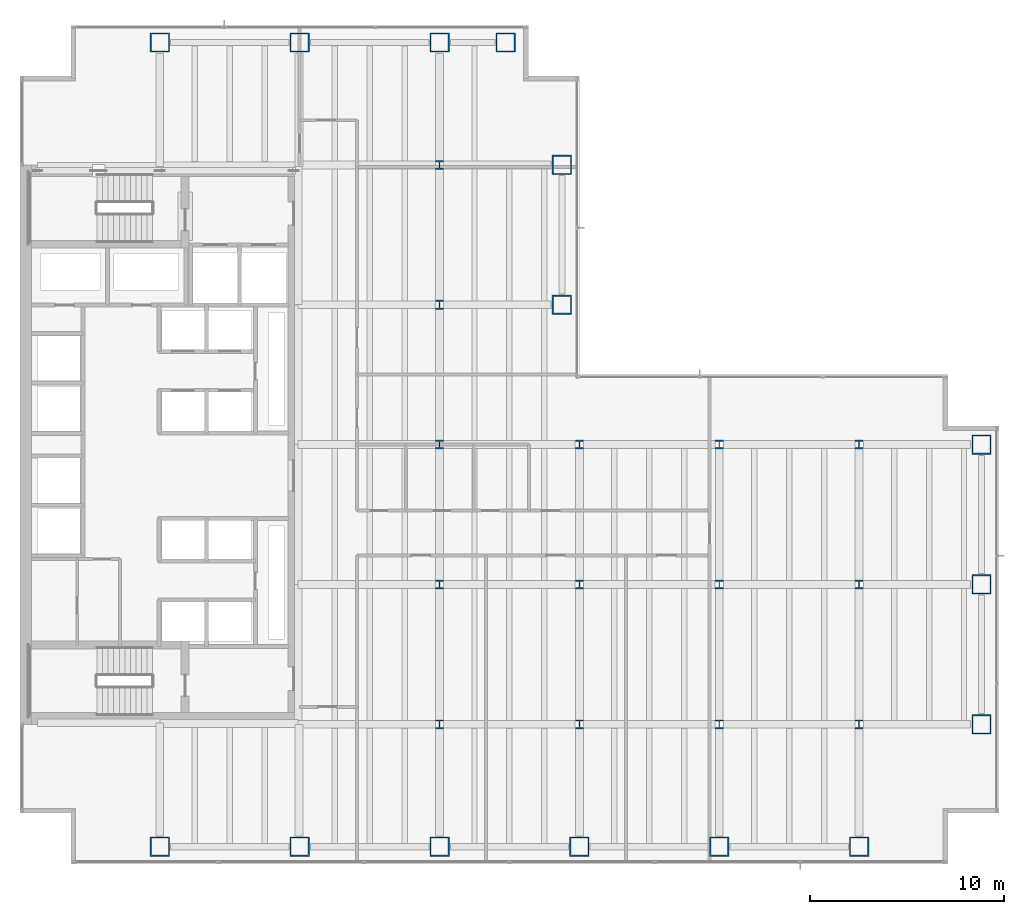
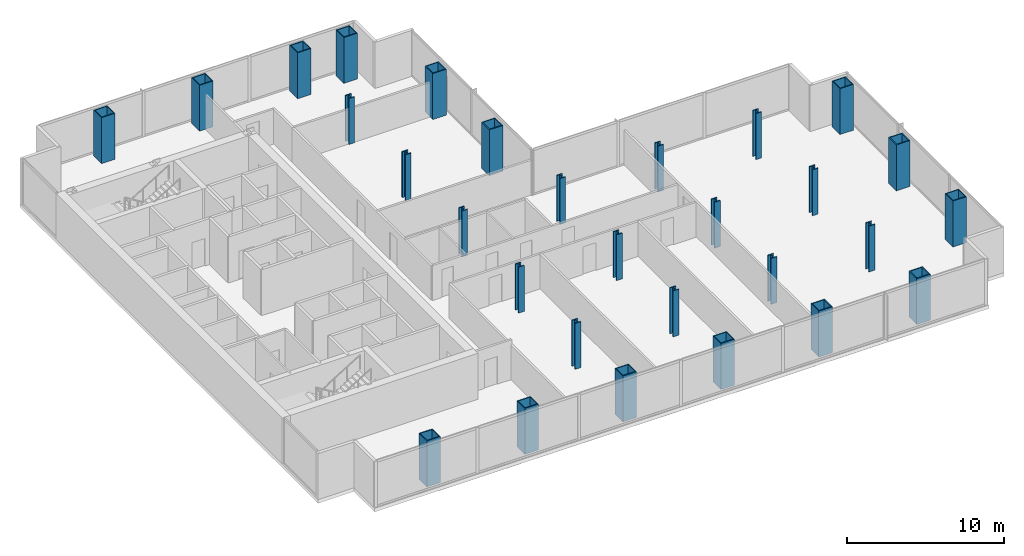
# One storey, part 1 of 25: 29 columns.
"""IFC4 building model written with IfcOpenShell, lengths in metres."""

import ifcopenshell
import ifcopenshell.guid

model = None  # the IFC model being written
_history = None  # IfcOwnerHistory: only IFC2X3 demands one
_inside = {}  # id of a spatial element -> (the spatial element, [elements in it])
_under = {}  # id of a project, library or spatial element -> (it, [spatial elements below it])
_declared = {}  # id of a project -> (the project, [libraries it declares])
_typed = {}  # id of a type object -> (the type object, [elements of that type])
_made_of = {}  # id of a material, layer set ... -> (it, [elements and type objects made of it])


def new_model(schema):
    """Start an empty IFC model of exactly this schema.

    Asked for "IFC4X3", IfcOpenShell would pick the latest addendum, in which some entities
    have other attributes; the version numbers below select the first issue.
    IFC2X3 requires an IfcOwnerHistory on every rooted entity: one is made here for all.
    """
    global model, _history
    if schema == "IFC4X3":
        model = ifcopenshell.file(schema_version=(4, 3, 0, 0))
    else:
        model = ifcopenshell.file(schema=schema)
    _inside.clear()
    _under.clear()
    _declared.clear()
    _typed.clear()
    _made_of.clear()
    _history = None
    if model.schema == "IFC2X3":
        org = make("IfcOrganization", Name="unknown")
        user = make(
            "IfcPersonAndOrganization",
            ThePerson=make("IfcPerson", FamilyName="unknown"),
            TheOrganization=org,
        )
        app = make(
            "IfcApplication",
            ApplicationDeveloper=org,
            Version="unknown",
            ApplicationFullName="unknown",
            ApplicationIdentifier="unknown",
        )
        _history = make(
            "IfcOwnerHistory",
            OwningUser=user,
            OwningApplication=app,
            ChangeAction="ADDED",
            CreationDate=0,
        )
    return model


def make(cls, **values):
    """One entity of the class cls with the attributes given. An attribute that is None is left unset."""
    return model.create_entity(
        cls, **{name: value for name, value in values.items() if value is not None}
    )


def rooted(cls, **values):
    """An entity with a GlobalId (a new one), such as an element, a storey or a relation."""
    return make(cls, GlobalId=ifcopenshell.guid.new(), OwnerHistory=_history, **values)


def si_unit(unit_type, name, prefix=None):
    """IfcSIUnit, for example si_unit("LENGTHUNIT", "METRE", prefix="MILLI")."""
    return make("IfcSIUnit", UnitType=unit_type, Prefix=prefix, Name=name)


def assignment(units):
    """IfcUnitAssignment: the units of a project."""
    return None if units is None else make("IfcUnitAssignment", Units=units)


def point(xyz):
    """IfcCartesianPoint."""
    return None if xyz is None else make("IfcCartesianPoint", Coordinates=xyz)


def direction(xyz):
    """IfcDirection."""
    return None if xyz is None else make("IfcDirection", DirectionRatios=xyz)


def frame(location, z_axis=None, x_axis=None):
    """IfcAxis2Placement3D, a coordinate frame: its origin and axes. An axis left out is left unset."""
    return make(
        "IfcAxis2Placement3D",
        Location=point(location),
        Axis=direction(z_axis),
        RefDirection=direction(x_axis),
    )


def frame_2d(location, x_axis=None):
    """IfcAxis2Placement2D, a coordinate frame in the plane: its origin and x axis."""
    return make(
        "IfcAxis2Placement2D", Location=point(location), RefDirection=direction(x_axis)
    )


def origin():
    """The frame at (0, 0, 0) with its axes left unset."""
    return frame((0.0, 0.0, 0.0))


def origin_2d():
    """The frame at (0, 0) in the plane with its x axis left unset."""
    return frame_2d((0.0, 0.0))


def place(relative_to, where):
    """IfcLocalPlacement: puts the frame where relative to a parent placement (None: the world)."""
    return make(
        "IfcLocalPlacement", PlacementRelTo=relative_to, RelativePlacement=where
    )


def context(
    kind, dimensions, precision=None, world=None, true_north=None, identifier=None
):
    """IfcGeometricRepresentationContext, for example the 3D "Model" context."""
    return make(
        "IfcGeometricRepresentationContext",
        ContextIdentifier=identifier,
        ContextType=kind,
        CoordinateSpaceDimension=dimensions,
        Precision=precision,
        WorldCoordinateSystem=world,
        TrueNorth=true_north,
    )


def subcontext(parent, identifier, kind, view, scale=None):
    """IfcGeometricRepresentationSubContext, for example "Body" below "Model"."""
    return make(
        "IfcGeometricRepresentationSubContext",
        ContextIdentifier=identifier,
        ContextType=kind,
        ParentContext=parent,
        TargetScale=scale,
        TargetView=view,
    )


def project(units=None, contexts=None):
    """IfcProject with its units and contexts."""
    return rooted(
        "IfcProject",
        Name="project",
        RepresentationContexts=contexts,
        UnitsInContext=assignment(units),
    )


def spatial(cls, under=None, at=None, **own):
    """A site, building, storey or space (cls), placed at a placement, below another one or the project."""
    s = rooted(cls, ObjectPlacement=at, **own)
    if under is not None:
        _under.setdefault(under.id(), (under, []))[1].append(s)
    return s


def profile(cls, at=None, kind="AREA", **sizes):
    """A parametric profile (cls). Its sizes go by their IFC names, for example OverallWidth=200.0."""
    return make(cls, ProfileType=kind, Position=at, **sizes)


def hollow_rectangle(**sizes):
    """IfcRectangleHollowProfileDef."""
    return profile("IfcRectangleHollowProfileDef", **sizes)


def i_section(**sizes):
    """IfcIShapeProfileDef."""
    return profile("IfcIShapeProfileDef", **sizes)


def extrude(swept, where, along, depth):
    """IfcExtrudedAreaSolid: the profile swept, set in the frame where, extruded along a direction by depth."""
    return make(
        "IfcExtrudedAreaSolid",
        SweptArea=swept,
        Position=where,
        ExtrudedDirection=direction(along),
        Depth=depth,
    )


def shape(context_of_items, identifier, shape_type, items):
    """IfcShapeRepresentation: the items that make up one representation, for example the "Body"."""
    return make(
        "IfcShapeRepresentation",
        ContextOfItems=context_of_items,
        RepresentationIdentifier=identifier,
        RepresentationType=shape_type,
        Items=items,
    )


def material(Name=None, Category=None):
    """IfcMaterial."""
    return make("IfcMaterial", Name=Name, Category=Category)


def material_profile(
    of_material, cross_section, Name=None, Category=None, Priority=None
):
    """IfcMaterialProfile: a cross section and its material."""
    return make(
        "IfcMaterialProfile",
        Name=Name,
        Material=of_material,
        Profile=cross_section,
        Priority=Priority,
        Category=Category,
    )


def profile_set(profiles, Name=None, composite=None):
    """IfcMaterialProfileSet."""
    return make(
        "IfcMaterialProfileSet",
        Name=Name,
        MaterialProfiles=profiles,
        CompositeProfile=composite,
    )


def made_of(thing, what):
    """Note that an element or type object is made of a material, layer set ...; save() writes the relation."""
    if what is not None:
        _made_of.setdefault(what.id(), (what, []))[1].append(thing)
    return thing


def type_object(cls, material=None, **own):
    """A type object (cls), such as IfcWallType, which elements share."""
    return made_of(rooted(cls, **own), material)


def element(
    cls,
    number,
    at=None,
    inside=None,
    cuts=None,
    type_object=None,
    material=None,
    context=None,
    identifier="Body",
    shape_type=None,
    held_by="IfcProductDefinitionShape",
    body=None,
    shapes=None,
    **own,
):
    """One element of the class cls, such as IfcWall. Its Tag is "e" and its number.

    at: its placement. inside: the storey or other place that contains it. cuts: it is an
    opening in that element (IfcRelVoidsElement). A single representation is given by context,
    identifier, shape_type and body (its items); several are given by shapes. held_by: the class
    of the entity that holds the representations. save() writes the other relations.
    """
    e = rooted(cls, Tag="e%d" % number, ObjectPlacement=at, **own)
    if body is not None:
        shapes = [shape(context, identifier, shape_type, body)]
    if shapes is not None:
        e.Representation = make(held_by, Representations=shapes)
    if inside is not None:
        _inside.setdefault(inside.id(), (inside, []))[1].append(e)
    if cuts is not None:
        rooted(
            "IfcRelVoidsElement", RelatingBuildingElement=cuts, RelatedOpeningElement=e
        )
    if type_object is not None:
        _typed.setdefault(type_object.id(), (type_object, []))[1].append(e)
    return made_of(e, material)


def aggregate(whole, parts):
    """IfcRelAggregates: a whole, such as a stair, and the parts it consists of."""
    return rooted("IfcRelAggregates", RelatingObject=whole, RelatedObjects=parts)


def save(model, path):
    """Write the relations noted so far, then the file.

    IfcRelAggregates (storeys below a building ...), IfcRelContainedInSpatialStructure (elements
    in a storey), IfcRelDefinesByType, IfcRelAssociatesMaterial and IfcRelDeclares: one each for
    every whole, place, type object, material and project.
    """
    for whole, parts in _under.values():
        aggregate(whole, parts)
    for where, things in _inside.values():
        rooted(
            "IfcRelContainedInSpatialStructure",
            RelatedElements=things,
            RelatingStructure=where,
        )
    for kind, things in _typed.values():
        rooted("IfcRelDefinesByType", RelatedObjects=things, RelatingType=kind)
    for what, things in _made_of.values():
        rooted("IfcRelAssociatesMaterial", RelatedObjects=things, RelatingMaterial=what)
    for by, libraries in _declared.values():
        rooted("IfcRelDeclares", RelatingContext=by, RelatedDefinitions=libraries)
    model.write(path)


model = new_model("IFC4")

# Units and contexts
model_context = context("Model", 3, precision=1e-05, world=origin(), true_north=direction((0.0, 1.0)))
body_context = subcontext(model_context, "Body", "Model", "MODEL_VIEW")
ifc_project = project(units=[si_unit("LENGTHUNIT", "METRE"), si_unit("AREAUNIT", "SQUARE_METRE"), si_unit("VOLUMEUNIT", "CUBIC_METRE"), si_unit("PLANEANGLEUNIT", "RADIAN"), si_unit("MASSUNIT", "GRAM", prefix="KILO")], contexts=[model_context])

# Site, building, storey
site_placement = place(None, origin())
site = spatial("IfcSite", under=ifc_project, at=site_placement, CompositionType="ELEMENT")
building_placement = place(site_placement, origin())
building = spatial("IfcBuilding", under=site, at=building_placement, Name="Cobrela Telecom Tower", CompositionType="ELEMENT")
storey_placement = place(building_placement, frame((0.0, 0.0, 46.550048828125)))
storey = spatial("IfcBuildingStorey", under=building, at=storey_placement, Name="L11", CompositionType="ELEMENT", Elevation=46.550048828125)

# Columns
ifc_material_1 = material(Name="Steel ASTM A992 Grade 50", Category="steel")
ifc_material_profile_1 = material_profile(ifc_material_1, i_section(OverallWidth=0.422119140625, OverallDepth=0.465087890625, WebThickness=0.044921875, FlangeThickness=0.072509765625, FilletRadius=0.01806640625, at=origin_2d()), Name="W14X398")
ifc_profile_set_1 = profile_set([ifc_material_profile_1], Name="Steel ASTM A992 Grade 50")
column_type_1 = type_object("IfcColumnType", Name="COL-INT-04", PredefinedType="COLUMN", material=ifc_profile_set_1)
for number, where, z_axis, x_axis, name in (
    (1, (21.60009765625, 7.199951171875, 0.0), (0.0, 0.0, 1.0), (1.0, 0.0, 0.0), "L11 Interior Column 06"),
    (2, (21.60009765625, 14.39990234375, 0.0), (0.0, 0.0, 1.0), (1.0, 0.0, 0.0), "L11 Interior Column 07"),
    (3, (21.60009765625, 21.60009765625, 0.0), (0.0, 0.0, 1.0), (1.0, 0.0, 0.0), "L11 Interior Column 08"),
    (4, (21.60009765625, 28.800048828125, 0.0), (0.0, 0.0, 1.0), (1.0, 0.0, 0.0), "L11 Interior Column 09"),
    (5, (21.60009765625, 36.0, 0.0), (0.0, 0.0, 1.0), (1.0, 0.0, 0.0), "L11 Interior Column 10"),
    (6, (28.800048828125, 7.199951171875, 0.0), (0.0, 0.0, 1.0), (1.0, 0.0, 0.0), "L11 Interior Column 16"),
    (7, (28.800048828125, 14.39990234375, 0.0), (0.0, 0.0, 1.0), (1.0, 0.0, 0.0), "L11 Interior Column 17"),
    (8, (28.800048828125, 21.60009765625, 0.0), (0.0, 0.0, 1.0), (1.0, 0.0, 0.0), "L11 Interior Column 18"),
    (9, (36.0, 7.199951171875, 0.0), (0.0, 0.0, 1.0), (1.0, 0.0, 0.0), "L11 Interior Column 20"),
    (10, (36.0, 14.39990234375, 0.0), (0.0, 0.0, 1.0), (1.0, 0.0, 0.0), "L11 Interior Column 21"),
    (11, (36.0, 21.60009765625, 0.0), (0.0, 0.0, 1.0), (1.0, 0.0, 0.0), "L11 Interior Column 22"),
    (12, (43.199951171875, 7.199951171875, 0.0), (0.0, 0.0, 1.0), (1.0, 0.0, 0.0), "L11 Interior Column 24"),
    (13, (43.199951171875, 14.39990234375, 0.0), (0.0, 0.0, 1.0), (1.0, 0.0, 0.0), "L11 Interior Column 25"),
    (14, (43.199951171875, 21.60009765625, 0.0), (0.0, 0.0, 1.0), (1.0, 0.0, 0.0), "L11 Interior Column 26"),
):
    element("IfcColumn", number, at=place(storey_placement, frame(where, z_axis=z_axis, x_axis=x_axis)), inside=storey, type_object=column_type_1, Name=name, PredefinedType="COLUMN", context=body_context, shape_type="SweptSolid", body=[
        extrude(i_section(OverallWidth=0.422119140625, OverallDepth=0.465087890625, WebThickness=0.044921875, FlangeThickness=0.072509765625, FilletRadius=0.01806640625, at=origin_2d()), origin(), (0.0, 0.0, 1.0), 3.570068359375),
    ])
ifc_material_2 = material(Name="Steel ASTM A572 Grade 50", Category="steel")
ifc_material_profile_2 = material_profile(ifc_material_2, hollow_rectangle(XDim=1.0, YDim=1.0, WallThickness=0.06494140625, at=origin_2d()), Name="BOX 1000x1000x65")
ifc_profile_set_2 = profile_set([ifc_material_profile_2], Name="Steel ASTM A572 Grade 50")
column_type_2 = type_object("IfcColumnType", Name="COL-MEGA-03", PredefinedType="COLUMN", material=ifc_profile_set_2)
for number, where, z_axis, x_axis, name in (
    (15, (7.199951171875, 0.89990234375, 0.0), (0.0, 0.0, 1.0), (1.0, 0.0, 0.0), "L11 Perimeter Mega-Column 01"),
    (16, (7.199951171875, 42.300048828125, 0.0), (0.0, 0.0, 1.0), (1.0, 0.0, 0.0), "L11 Perimeter Mega-Column 02"),
    (17, (14.39990234375, 0.89990234375, 0.0), (0.0, 0.0, 1.0), (1.0, 0.0, 0.0), "L11 Perimeter Mega-Column 03"),
    (18, (14.39990234375, 42.300048828125, 0.0), (0.0, 0.0, 1.0), (1.0, 0.0, 0.0), "L11 Perimeter Mega-Column 04"),
    (19, (21.60009765625, 0.89990234375, 0.0), (0.0, 0.0, 1.0), (1.0, 0.0, 0.0), "L11 Perimeter Mega-Column 05"),
    (20, (21.60009765625, 42.300048828125, 0.0), (0.0, 0.0, 1.0), (1.0, 0.0, 0.0), "L11 Perimeter Mega-Column 11"),
    (21, (25.0, 42.300048828125, 0.0), (0.0, 0.0, 1.0), (1.0, 0.0, 0.0), "L11 Perimeter Mega-Column 12"),
    (22, (27.89990234375, 28.800048828125, 0.0), (0.0, 0.0, 1.0), (1.0, 0.0, 0.0), "L11 Perimeter Mega-Column 13"),
    (23, (27.89990234375, 36.0, 0.0), (0.0, 0.0, 1.0), (1.0, 0.0, 0.0), "L11 Perimeter Mega-Column 14"),
    (24, (28.800048828125, 0.89990234375, 0.0), (0.0, 0.0, 1.0), (1.0, 0.0, 0.0), "L11 Perimeter Mega-Column 15"),
    (25, (36.0, 0.89990234375, 0.0), (0.0, 0.0, 1.0), (1.0, 0.0, 0.0), "L11 Perimeter Mega-Column 19"),
    (26, (43.199951171875, 0.89990234375, 0.0), (0.0, 0.0, 1.0), (1.0, 0.0, 0.0), "L11 Perimeter Mega-Column 23"),
    (27, (49.5, 7.199951171875, 0.0), (0.0, 0.0, 1.0), (1.0, 0.0, 0.0), "L11 Perimeter Mega-Column 27"),
    (28, (49.5, 14.39990234375, 0.0), (0.0, 0.0, 1.0), (1.0, 0.0, 0.0), "L11 Perimeter Mega-Column 28"),
    (29, (49.5, 21.60009765625, 0.0), (0.0, 0.0, 1.0), (1.0, 0.0, 0.0), "L11 Perimeter Mega-Column 29"),
):
    element("IfcColumn", number, at=place(storey_placement, frame(where, z_axis=z_axis, x_axis=x_axis)), inside=storey, type_object=column_type_2, Name=name, PredefinedType="COLUMN", context=body_context, shape_type="SweptSolid", body=[
        extrude(hollow_rectangle(XDim=1.0, YDim=1.0, WallThickness=0.06494140625, at=origin_2d()), origin(), (0.0, 0.0, 1.0), 3.570068359375),
    ])

save(model, "model.ifc")
